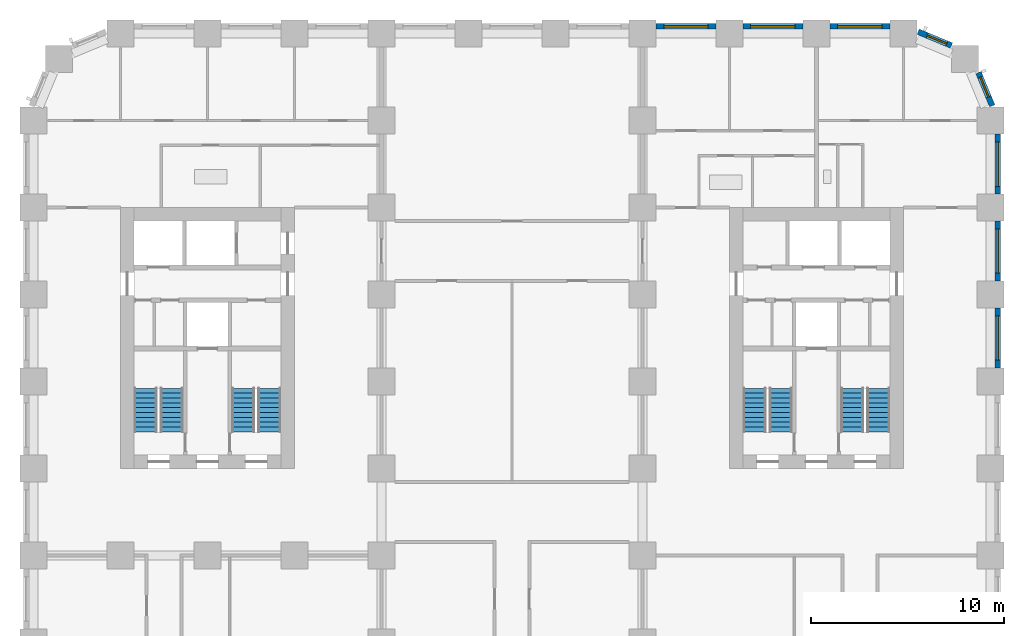
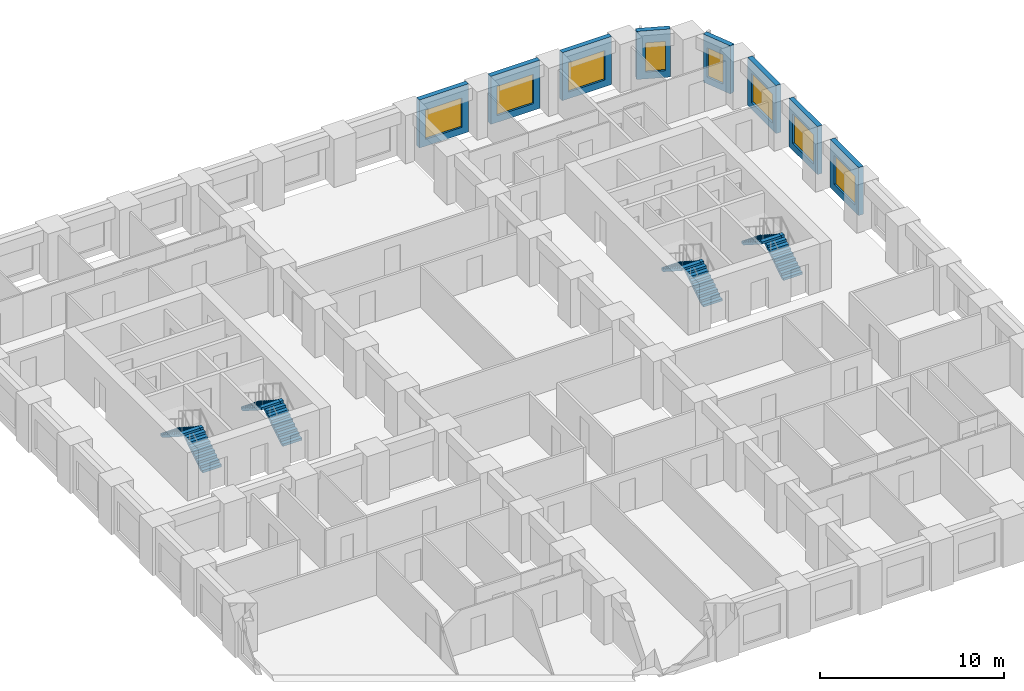
# One storey, part 9 of 12: 8 stair flights, 8 walls, 8 windows, 8 openings, 4 elements without a shape of their own.
"""IFC4 building model written with IfcOpenShell, lengths in metres."""

from ifc_helpers import new_model, si_unit, direction, frame, frame_2d, origin, place, context, subcontext, project, spatial, polyline, rectangle, outline, extrude, material, layer, layer_set, type_object, element, fill, aggregate, save


model = new_model("IFC4")

# Units and contexts
model_context = context("Model", 3, precision=1e-05, world=origin(), true_north=direction((0.0, 1.0)))
body_context = subcontext(model_context, "Body", "Model", "MODEL_VIEW")
ifc_project = project(units=[si_unit("LENGTHUNIT", "METRE"), si_unit("AREAUNIT", "SQUARE_METRE"), si_unit("VOLUMEUNIT", "CUBIC_METRE"), si_unit("PLANEANGLEUNIT", "RADIAN"), si_unit("MASSUNIT", "GRAM", prefix="KILO")], contexts=[model_context])

# Site, building, storey
site_placement = place(None, origin())
site = spatial("IfcSite", under=ifc_project, at=site_placement, CompositionType="ELEMENT")
building_placement = place(site_placement, origin())
building = spatial("IfcBuilding", under=site, at=building_placement, Name="Girih Gate Residences", CompositionType="ELEMENT")
storey_placement = place(building_placement, frame((0.0, 0.0, 30.39990234375)))
storey = spatial("IfcBuildingStorey", under=building, at=storey_placement, Name="L06", CompositionType="ELEMENT", Elevation=30.39990234375)

# Wall, opening, window
ifc_material_1 = material(Name="Precast concrete C50/60", Category="concrete")
ifc_layer_1 = layer(ifc_material_1, 0.080078125, Name="Outer leaf")
ifc_material_2 = material(Name="Rigid PIR insulation")
ifc_layer_2 = layer(ifc_material_2, 0.14990234375, Name="Insulation")
ifc_material_3 = material(Name="Precast concrete C40/50", Category="concrete")
ifc_layer_3 = layer(ifc_material_3, 0.070068359375, Name="Inner leaf")
ifc_layer_set = layer_set([ifc_layer_1, ifc_layer_2, ifc_layer_3], Name="Precast concrete C50/60 external wall 300")
wall_type = type_object("IfcWallType", Name="Precast concrete C50/60 external wall 300", PredefinedType="SOLIDWALL", material=ifc_layer_set)
wall_1_placement = place(storey_placement, frame((49.875, 35.300048828125, 0.0), z_axis=(0.0, 0.0, 1.0), x_axis=(0.0, -1.0, 0.0)))
wall_1 = element("IfcWall", 1, at=wall_1_placement, inside=storey, type_object=wall_type, Name="External wall E0495_0045.6", PredefinedType="SOLIDWALL", context=body_context, shape_type="SweptSolid", body=[
    extrude(rectangle(XDim=3.10009765625, YDim=0.300048828125, at=frame_2d((1.550048828125, 0.0))), origin(), (0.0, 0.0, 1.0), 3.2001953125),
])
opening_1_placement = place(wall_1_placement, frame((0.39990234375, 0.0, 0.449951171875)))
opening_1 = element("IfcOpeningElement", 2, at=opening_1_placement, cuts=wall_1, Name="Opening W-1", PredefinedType="OPENING", context=body_context, shape_type="SweptSolid", body=[
    extrude(rectangle(XDim=2.300048828125, YDim=1.949951171875, at=frame_2d((1.14990234375, 0.97509765625))), frame((0.0, 0.159912109375, 0.0), z_axis=(0.0, -1.0, 0.0), x_axis=(1.0, 0.0, 0.0)), (0.0, 0.0, 1.0), 0.320068359375),
])
ifc_material_4 = material(Name="Double glazing in aluminium frame", Category="aluminium")
window_type_1 = type_object("IfcWindowType", Name="Window W-1 2300x1950", PartitioningType="SINGLE_PANEL", PredefinedType="WINDOW", material=ifc_material_4)
window_1_placement = place(opening_1_placement, origin())
window_1 = element("IfcWindow", 3, at=window_1_placement, inside=storey, type_object=window_type_1, Name="Window W-1 E0495_0045.6", OverallHeight=1.949951171875, OverallWidth=2.300048828125, PartitioningType="SINGLE_PANEL", PredefinedType="WINDOW", context=body_context, shape_type="SweptSolid", body=[
    extrude(rectangle(XDim=2.300048828125, YDim=1.949951171875, at=frame_2d((1.14990234375, 0.97509765625))), frame((0.0, 0.030029296875, 0.0), z_axis=(0.0, -1.0, 0.0), x_axis=(1.0, 0.0, 0.0)), (0.0, 0.0, 1.0), 0.06005859375),
])
fill(opening_1, window_1)

wall_2_placement = place(storey_placement, frame((49.875, 39.800048828125, 0.0), z_axis=(0.0, 0.0, 1.0), x_axis=(0.0, -1.0, 0.0)))
wall_2 = element("IfcWall", 4, at=wall_2_placement, inside=storey, type_object=wall_type, Name="External wall E0495_0045.7", PredefinedType="SOLIDWALL", context=body_context, shape_type="SweptSolid", body=[
    extrude(rectangle(XDim=3.10009765625, YDim=0.300048828125, at=frame_2d((1.550048828125, 0.0))), origin(), (0.0, 0.0, 1.0), 3.2001953125),
])
opening_2_placement = place(wall_2_placement, frame((0.39990234375, 0.0, 0.449951171875)))
opening_2 = element("IfcOpeningElement", 5, at=opening_2_placement, cuts=wall_2, Name="Opening W-1", PredefinedType="OPENING", context=body_context, shape_type="SweptSolid", body=[
    extrude(rectangle(XDim=2.300048828125, YDim=1.949951171875, at=frame_2d((1.14990234375, 0.97509765625))), frame((0.0, 0.159912109375, 0.0), z_axis=(0.0, -1.0, 0.0), x_axis=(1.0, 0.0, 0.0)), (0.0, 0.0, 1.0), 0.320068359375),
])
window_2_placement = place(opening_2_placement, origin())
window_2 = element("IfcWindow", 6, at=window_2_placement, inside=storey, type_object=window_type_1, Name="Window W-1 E0495_0045.7", OverallHeight=1.949951171875, OverallWidth=2.300048828125, PartitioningType="SINGLE_PANEL", PredefinedType="WINDOW", context=body_context, shape_type="SweptSolid", body=[
    extrude(rectangle(XDim=2.300048828125, YDim=1.949951171875, at=frame_2d((1.14990234375, 0.97509765625))), frame((0.0, 0.030029296875, 0.0), z_axis=(0.0, -1.0, 0.0), x_axis=(1.0, 0.0, 0.0)), (0.0, 0.0, 1.0), 0.06005859375),
])
fill(opening_2, window_2)

wall_3_placement = place(storey_placement, frame((49.875, 44.300048828125, 0.0), z_axis=(0.0, 0.0, 1.0), x_axis=(0.0, -1.0, 0.0)))
wall_3 = element("IfcWall", 7, at=wall_3_placement, inside=storey, type_object=wall_type, Name="External wall E0495_0045.8", PredefinedType="SOLIDWALL", context=body_context, shape_type="SweptSolid", body=[
    extrude(rectangle(XDim=3.10009765625, YDim=0.300048828125, at=frame_2d((1.550048828125, 0.0))), origin(), (0.0, 0.0, 1.0), 3.2001953125),
])
opening_3_placement = place(wall_3_placement, frame((0.39990234375, 0.0, 0.449951171875)))
opening_3 = element("IfcOpeningElement", 8, at=opening_3_placement, cuts=wall_3, Name="Opening W-1", PredefinedType="OPENING", context=body_context, shape_type="SweptSolid", body=[
    extrude(rectangle(XDim=2.300048828125, YDim=1.949951171875, at=frame_2d((1.14990234375, 0.97509765625))), frame((0.0, 0.159912109375, 0.0), z_axis=(0.0, -1.0, 0.0), x_axis=(1.0, 0.0, 0.0)), (0.0, 0.0, 1.0), 0.320068359375),
])
window_3_placement = place(opening_3_placement, origin())
window_3 = element("IfcWindow", 9, at=window_3_placement, inside=storey, type_object=window_type_1, Name="Window W-1 E0495_0045.8", OverallHeight=1.949951171875, OverallWidth=2.300048828125, PartitioningType="SINGLE_PANEL", PredefinedType="WINDOW", context=body_context, shape_type="SweptSolid", body=[
    extrude(rectangle(XDim=2.300048828125, YDim=1.949951171875, at=frame_2d((1.14990234375, 0.97509765625))), frame((0.0, 0.030029296875, 0.0), z_axis=(0.0, -1.0, 0.0), x_axis=(1.0, 0.0, 0.0)), (0.0, 0.0, 1.0), 0.06005859375),
])
fill(opening_3, window_3)

wall_4_placement = place(storey_placement, frame((48.87841796875, 47.48046875, 0.0), z_axis=(0.0, 0.0, 1.0), x_axis=(0.38262540684, -0.923903565336, 0.0)))
wall_4 = element("IfcWall", 10, at=wall_4_placement, inside=storey, type_object=wall_type, Name="External wall NE0495_0450.0", PredefinedType="SOLIDWALL", context=body_context, shape_type="SweptSolid", body=[
    extrude(rectangle(XDim=1.864990234375, YDim=0.300048828125, at=frame_2d((0.9326171875, 0.0))), origin(), (0.0, 0.0, 1.0), 3.2001953125),
])
opening_4_placement = place(wall_4_placement, frame((0.257568359375, 0.0, 0.449951171875)))
opening_4 = element("IfcOpeningElement", 11, at=opening_4_placement, cuts=wall_4, Name="Opening W-2C", PredefinedType="OPENING", context=body_context, shape_type="SweptSolid", body=[
    extrude(rectangle(XDim=1.10009765625, YDim=1.949951171875, at=frame_2d((0.550048828125, 0.97509765625))), frame((0.0, 0.159912109375, 0.0), z_axis=(0.0, -1.0, 0.0), x_axis=(1.0, 0.0, 0.0)), (0.0, 0.0, 1.0), 0.320068359375),
])
window_type_2 = type_object("IfcWindowType", Name="Window W-2C 1100x1950", PartitioningType="SINGLE_PANEL", PredefinedType="WINDOW", material=ifc_material_4)
window_4_placement = place(opening_4_placement, origin())
window_4 = element("IfcWindow", 12, at=window_4_placement, inside=storey, type_object=window_type_2, Name="Window W-2C NE0495_0450.0", OverallHeight=1.949951171875, OverallWidth=1.10009765625, PartitioningType="SINGLE_PANEL", PredefinedType="WINDOW", context=body_context, shape_type="SweptSolid", body=[
    extrude(rectangle(XDim=1.10009765625, YDim=1.949951171875, at=frame_2d((0.550048828125, 0.97509765625))), frame((0.0, 0.030029296875, 0.0), z_axis=(0.0, -1.0, 0.0), x_axis=(1.0, 0.0, 0.0)), (0.0, 0.0, 1.0), 0.06005859375),
])
fill(opening_4, window_4)

wall_5_placement = place(storey_placement, frame((45.75732421875, 49.59228515625, 0.0), z_axis=(0.0, 0.0, 1.0), x_axis=(0.923857286003, -0.382737135771, 0.0)))
wall_5 = element("IfcWall", 13, at=wall_5_placement, inside=storey, type_object=wall_type, Name="External wall NE0482_0482.0", PredefinedType="SOLIDWALL", context=body_context, shape_type="SweptSolid", body=[
    extrude(rectangle(XDim=1.865234375, YDim=0.300048828125, at=frame_2d((0.9326171875, 0.0))), origin(), (0.0, 0.0, 1.0), 3.2001953125),
])
opening_5_placement = place(wall_5_placement, frame((0.507568359375, 0.0, 0.449951171875)))
opening_5 = element("IfcOpeningElement", 14, at=opening_5_placement, cuts=wall_5, Name="Opening W-2C", PredefinedType="OPENING", context=body_context, shape_type="SweptSolid", body=[
    extrude(rectangle(XDim=1.10009765625, YDim=1.949951171875, at=frame_2d((0.550048828125, 0.97509765625))), frame((0.0, 0.159912109375, 0.0), z_axis=(0.0, -1.0, 0.0), x_axis=(1.0, 0.0, 0.0)), (0.0, 0.0, 1.0), 0.320068359375),
])
window_5_placement = place(opening_5_placement, origin())
window_5 = element("IfcWindow", 15, at=window_5_placement, inside=storey, type_object=window_type_2, Name="Window W-2C NE0482_0482.0", OverallHeight=1.949951171875, OverallWidth=1.10009765625, PartitioningType="SINGLE_PANEL", PredefinedType="WINDOW", context=body_context, shape_type="SweptSolid", body=[
    extrude(rectangle(XDim=1.10009765625, YDim=1.949951171875, at=frame_2d((0.550048828125, 0.97509765625))), frame((0.0, 0.030029296875, 0.0), z_axis=(0.0, -1.0, 0.0), x_axis=(1.0, 0.0, 0.0)), (0.0, 0.0, 1.0), 0.06005859375),
])
fill(opening_5, window_5)

wall_6_placement = place(storey_placement, frame((41.199951171875, 49.875, 0.0), z_axis=(0.0, 0.0, 1.0), x_axis=(1.0, 0.0, 0.0)))
wall_6 = element("IfcWall", 16, at=wall_6_placement, inside=storey, type_object=wall_type, Name="External wall N0450_0495.0", PredefinedType="SOLIDWALL", context=body_context, shape_type="SweptSolid", body=[
    extrude(rectangle(XDim=3.10009765625, YDim=0.300048828125, at=frame_2d((1.550048828125, 0.0))), origin(), (0.0, 0.0, 1.0), 3.2001953125),
])
opening_6_placement = place(wall_6_placement, frame((0.39990234375, 0.0, 0.449951171875)))
opening_6 = element("IfcOpeningElement", 17, at=opening_6_placement, cuts=wall_6, Name="Opening W-1", PredefinedType="OPENING", context=body_context, shape_type="SweptSolid", body=[
    extrude(rectangle(XDim=2.300048828125, YDim=1.949951171875, at=frame_2d((1.14990234375, 0.97509765625))), frame((0.0, 0.159912109375, 0.0), z_axis=(0.0, -1.0, 0.0), x_axis=(1.0, 0.0, 0.0)), (0.0, 0.0, 1.0), 0.320068359375),
])
window_6_placement = place(opening_6_placement, origin())
window_6 = element("IfcWindow", 18, at=window_6_placement, inside=storey, type_object=window_type_1, Name="Window W-1 N0450_0495.0", OverallHeight=1.949951171875, OverallWidth=2.300048828125, PartitioningType="SINGLE_PANEL", PredefinedType="WINDOW", context=body_context, shape_type="SweptSolid", body=[
    extrude(rectangle(XDim=2.300048828125, YDim=1.949951171875, at=frame_2d((1.14990234375, 0.97509765625))), frame((0.0, 0.030029296875, 0.0), z_axis=(0.0, -1.0, 0.0), x_axis=(1.0, 0.0, 0.0)), (0.0, 0.0, 1.0), 0.06005859375),
])
fill(opening_6, window_6)

wall_7_placement = place(storey_placement, frame((36.699951171875, 49.875, 0.0), z_axis=(0.0, 0.0, 1.0), x_axis=(1.0, 0.0, 0.0)))
wall_7 = element("IfcWall", 19, at=wall_7_placement, inside=storey, type_object=wall_type, Name="External wall N0450_0495.1", PredefinedType="SOLIDWALL", context=body_context, shape_type="SweptSolid", body=[
    extrude(rectangle(XDim=3.10009765625, YDim=0.300048828125, at=frame_2d((1.550048828125, 0.0))), origin(), (0.0, 0.0, 1.0), 3.2001953125),
])
opening_7_placement = place(wall_7_placement, frame((0.39990234375, 0.0, 0.449951171875)))
opening_7 = element("IfcOpeningElement", 20, at=opening_7_placement, cuts=wall_7, Name="Opening W-1", PredefinedType="OPENING", context=body_context, shape_type="SweptSolid", body=[
    extrude(rectangle(XDim=2.300048828125, YDim=1.949951171875, at=frame_2d((1.14990234375, 0.97509765625))), frame((0.0, 0.159912109375, 0.0), z_axis=(0.0, -1.0, 0.0), x_axis=(1.0, 0.0, 0.0)), (0.0, 0.0, 1.0), 0.320068359375),
])
window_7_placement = place(opening_7_placement, origin())
window_7 = element("IfcWindow", 21, at=window_7_placement, inside=storey, type_object=window_type_1, Name="Window W-1 N0450_0495.1", OverallHeight=1.949951171875, OverallWidth=2.300048828125, PartitioningType="SINGLE_PANEL", PredefinedType="WINDOW", context=body_context, shape_type="SweptSolid", body=[
    extrude(rectangle(XDim=2.300048828125, YDim=1.949951171875, at=frame_2d((1.14990234375, 0.97509765625))), frame((0.0, 0.030029296875, 0.0), z_axis=(0.0, -1.0, 0.0), x_axis=(1.0, 0.0, 0.0)), (0.0, 0.0, 1.0), 0.06005859375),
])
fill(opening_7, window_7)

wall_8_placement = place(storey_placement, frame((32.199951171875, 49.875, 0.0), z_axis=(0.0, 0.0, 1.0), x_axis=(1.0, 0.0, 0.0)))
wall_8 = element("IfcWall", 22, at=wall_8_placement, inside=storey, type_object=wall_type, Name="External wall N0450_0495.2", PredefinedType="SOLIDWALL", context=body_context, shape_type="SweptSolid", body=[
    extrude(rectangle(XDim=3.10009765625, YDim=0.300048828125, at=frame_2d((1.550048828125, 0.0))), origin(), (0.0, 0.0, 1.0), 3.2001953125),
])
opening_8_placement = place(wall_8_placement, frame((0.39990234375, 0.0, 0.449951171875)))
opening_8 = element("IfcOpeningElement", 23, at=opening_8_placement, cuts=wall_8, Name="Opening W-1", PredefinedType="OPENING", context=body_context, shape_type="SweptSolid", body=[
    extrude(rectangle(XDim=2.300048828125, YDim=1.949951171875, at=frame_2d((1.14990234375, 0.97509765625))), frame((0.0, 0.159912109375, 0.0), z_axis=(0.0, -1.0, 0.0), x_axis=(1.0, 0.0, 0.0)), (0.0, 0.0, 1.0), 0.320068359375),
])
window_8_placement = place(opening_8_placement, origin())
window_8 = element("IfcWindow", 24, at=window_8_placement, inside=storey, type_object=window_type_1, Name="Window W-1 N0450_0495.2", OverallHeight=1.949951171875, OverallWidth=2.300048828125, PartitioningType="SINGLE_PANEL", PredefinedType="WINDOW", context=body_context, shape_type="SweptSolid", body=[
    extrude(rectangle(XDim=2.300048828125, YDim=1.949951171875, at=frame_2d((1.14990234375, 0.97509765625))), frame((0.0, 0.030029296875, 0.0), z_axis=(0.0, -1.0, 0.0), x_axis=(1.0, 0.0, 0.0)), (0.0, 0.0, 1.0), 0.06005859375),
])
fill(opening_8, window_8)

# Stair, stair flights
ifc_material_5 = material(Name="Concrete C40/50", Category="concrete")
stair_type = type_object("IfcStairType", Name="Exit stair", PredefinedType="HALF_TURN_STAIR", material=ifc_material_5)
stair_1_placement = place(storey_placement, origin())
stair_1 = element("IfcStair", 25, at=stair_1_placement, inside=storey, type_object=stair_type, Name="L06 Exit Stair ST-W1", PredefinedType="HALF_TURN_STAIR")
stair_flight_type = type_object("IfcStairFlightType", Name="Stair flight 1200", PredefinedType="STRAIGHT", material=ifc_material_5)
stair_flight_1_placement = place(storey_placement, frame((7.14990234375, 28.89990234375, 0.0), z_axis=(0.0, 0.0, 1.0), x_axis=(0.0, 1.0, 0.0)))
stair_flight_1 = element("IfcStairFlight", 26, at=stair_flight_1_placement, type_object=stair_flight_type, Name="ST-W1 flight 1", NumberOfRisers=10, NumberOfTreads=9, PredefinedType="STRAIGHT", RiserHeight=0.16, TreadLength=0.25, context=body_context, shape_type="SweptSolid", body=[
    extrude(outline(polyline([(0.0, 0.0), (0.0, 0.159912109375), (0.25, 0.159912109375), (0.25, 0.320068359375), (0.5, 0.320068359375), (0.5, 0.47998046875), (0.75, 0.47998046875), (0.75, 0.639892578125), (1.0, 0.639892578125), (1.0, 0.800048828125), (1.25, 0.800048828125), (1.25, 0.9599609375), (1.5, 0.9599609375), (1.5, 1.1201171875), (1.75, 1.1201171875), (1.75, 1.280029296875), (2.0, 1.280029296875), (2.0, 1.43994140625), (2.25, 1.43994140625), (2.25, 1.60009765625), (2.25, 1.29736328125), (0.222900390625, 0.0), (0.0, 0.0)])), frame((0.0, 0.60009765625, 0.0), z_axis=(0.0, -1.0, 0.0), x_axis=(1.0, 0.0, 0.0)), (0.0, 0.0, 1.0), 1.199951171875),
])
stair_flight_2_placement = place(storey_placement, frame((5.800048828125, 31.14990234375, 1.60009765625), z_axis=(0.0, 0.0, 1.0), x_axis=(0.0, -1.0, 0.0)))
stair_flight_2 = element("IfcStairFlight", 27, at=stair_flight_2_placement, type_object=stair_flight_type, Name="ST-W1 flight 2", NumberOfRisers=10, NumberOfTreads=9, PredefinedType="STRAIGHT", RiserHeight=0.16, TreadLength=0.25, context=body_context, shape_type="SweptSolid", body=[
    extrude(outline(polyline([(0.0, 0.0), (0.0, 0.159912109375), (0.25, 0.159912109375), (0.25, 0.320068359375), (0.5, 0.320068359375), (0.5, 0.47998046875), (0.75, 0.47998046875), (0.75, 0.639892578125), (1.0, 0.639892578125), (1.0, 0.800048828125), (1.25, 0.800048828125), (1.25, 0.9599609375), (1.5, 0.9599609375), (1.5, 1.1201171875), (1.75, 1.1201171875), (1.75, 1.280029296875), (2.0, 1.280029296875), (2.0, 1.43994140625), (2.25, 1.43994140625), (2.25, 1.60009765625), (2.25, 1.29736328125), (0.222900390625, 0.0), (0.0, 0.0)])), frame((0.0, 0.60009765625, 0.0), z_axis=(0.0, -1.0, 0.0), x_axis=(1.0, 0.0, 0.0)), (0.0, 0.0, 1.0), 1.199951171875),
])
aggregate(stair_1, [stair_flight_1, stair_flight_2])

stair_2_placement = place(storey_placement, origin())
stair_2 = element("IfcStair", 28, at=stair_2_placement, inside=storey, type_object=stair_type, Name="L06 Exit Stair ST-W2", PredefinedType="HALF_TURN_STAIR")
stair_flight_3_placement = place(storey_placement, frame((12.199951171875, 28.89990234375, 0.0), z_axis=(0.0, 0.0, 1.0), x_axis=(0.0, 1.0, 0.0)))
stair_flight_3 = element("IfcStairFlight", 29, at=stair_flight_3_placement, type_object=stair_flight_type, Name="ST-W2 flight 1", NumberOfRisers=10, NumberOfTreads=9, PredefinedType="STRAIGHT", RiserHeight=0.16, TreadLength=0.25, context=body_context, shape_type="SweptSolid", body=[
    extrude(outline(polyline([(0.0, 0.0), (0.0, 0.159912109375), (0.25, 0.159912109375), (0.25, 0.320068359375), (0.5, 0.320068359375), (0.5, 0.47998046875), (0.75, 0.47998046875), (0.75, 0.639892578125), (1.0, 0.639892578125), (1.0, 0.800048828125), (1.25, 0.800048828125), (1.25, 0.9599609375), (1.5, 0.9599609375), (1.5, 1.1201171875), (1.75, 1.1201171875), (1.75, 1.280029296875), (2.0, 1.280029296875), (2.0, 1.43994140625), (2.25, 1.43994140625), (2.25, 1.60009765625), (2.25, 1.29736328125), (0.222900390625, 0.0), (0.0, 0.0)])), frame((0.0, 0.60009765625, 0.0), z_axis=(0.0, -1.0, 0.0), x_axis=(1.0, 0.0, 0.0)), (0.0, 0.0, 1.0), 1.199951171875),
])
stair_flight_4_placement = place(storey_placement, frame((10.85009765625, 31.14990234375, 1.60009765625), z_axis=(0.0, 0.0, 1.0), x_axis=(0.0, -1.0, 0.0)))
stair_flight_4 = element("IfcStairFlight", 30, at=stair_flight_4_placement, type_object=stair_flight_type, Name="ST-W2 flight 2", NumberOfRisers=10, NumberOfTreads=9, PredefinedType="STRAIGHT", RiserHeight=0.16, TreadLength=0.25, context=body_context, shape_type="SweptSolid", body=[
    extrude(outline(polyline([(0.0, 0.0), (0.0, 0.159912109375), (0.25, 0.159912109375), (0.25, 0.320068359375), (0.5, 0.320068359375), (0.5, 0.47998046875), (0.75, 0.47998046875), (0.75, 0.639892578125), (1.0, 0.639892578125), (1.0, 0.800048828125), (1.25, 0.800048828125), (1.25, 0.9599609375), (1.5, 0.9599609375), (1.5, 1.1201171875), (1.75, 1.1201171875), (1.75, 1.280029296875), (2.0, 1.280029296875), (2.0, 1.43994140625), (2.25, 1.43994140625), (2.25, 1.60009765625), (2.25, 1.29736328125), (0.222900390625, 0.0), (0.0, 0.0)])), frame((0.0, 0.60009765625, 0.0), z_axis=(0.0, -1.0, 0.0), x_axis=(1.0, 0.0, 0.0)), (0.0, 0.0, 1.0), 1.199951171875),
])
aggregate(stair_2, [stair_flight_3, stair_flight_4])

stair_3_placement = place(storey_placement, origin())
stair_3 = element("IfcStair", 31, at=stair_3_placement, inside=storey, type_object=stair_type, Name="L06 Exit Stair ST-E1", PredefinedType="HALF_TURN_STAIR")
stair_flight_5_placement = place(storey_placement, frame((43.699951171875, 28.89990234375, 0.0), z_axis=(0.0, 0.0, 1.0), x_axis=(0.0, 1.0, 0.0)))
stair_flight_5 = element("IfcStairFlight", 32, at=stair_flight_5_placement, type_object=stair_flight_type, Name="ST-E1 flight 1", NumberOfRisers=10, NumberOfTreads=9, PredefinedType="STRAIGHT", RiserHeight=0.16, TreadLength=0.25, context=body_context, shape_type="SweptSolid", body=[
    extrude(outline(polyline([(0.0, 0.0), (0.0, 0.159912109375), (0.25, 0.159912109375), (0.25, 0.320068359375), (0.5, 0.320068359375), (0.5, 0.47998046875), (0.75, 0.47998046875), (0.75, 0.639892578125), (1.0, 0.639892578125), (1.0, 0.800048828125), (1.25, 0.800048828125), (1.25, 0.9599609375), (1.5, 0.9599609375), (1.5, 1.1201171875), (1.75, 1.1201171875), (1.75, 1.280029296875), (2.0, 1.280029296875), (2.0, 1.43994140625), (2.25, 1.43994140625), (2.25, 1.60009765625), (2.25, 1.29736328125), (0.222900390625, 0.0), (0.0, 0.0)])), frame((0.0, 0.60009765625, 0.0), z_axis=(0.0, -1.0, 0.0), x_axis=(1.0, 0.0, 0.0)), (0.0, 0.0, 1.0), 1.199951171875),
])
stair_flight_6_placement = place(storey_placement, frame((42.35009765625, 31.14990234375, 1.60009765625), z_axis=(0.0, 0.0, 1.0), x_axis=(0.0, -1.0, 0.0)))
stair_flight_6 = element("IfcStairFlight", 33, at=stair_flight_6_placement, type_object=stair_flight_type, Name="ST-E1 flight 2", NumberOfRisers=10, NumberOfTreads=9, PredefinedType="STRAIGHT", RiserHeight=0.16, TreadLength=0.25, context=body_context, shape_type="SweptSolid", body=[
    extrude(outline(polyline([(0.0, 0.0), (0.0, 0.159912109375), (0.25, 0.159912109375), (0.25, 0.320068359375), (0.5, 0.320068359375), (0.5, 0.47998046875), (0.75, 0.47998046875), (0.75, 0.639892578125), (1.0, 0.639892578125), (1.0, 0.800048828125), (1.25, 0.800048828125), (1.25, 0.9599609375), (1.5, 0.9599609375), (1.5, 1.1201171875), (1.75, 1.1201171875), (1.75, 1.280029296875), (2.0, 1.280029296875), (2.0, 1.43994140625), (2.25, 1.43994140625), (2.25, 1.60009765625), (2.25, 1.29736328125), (0.222900390625, 0.0), (0.0, 0.0)])), frame((0.0, 0.60009765625, 0.0), z_axis=(0.0, -1.0, 0.0), x_axis=(1.0, 0.0, 0.0)), (0.0, 0.0, 1.0), 1.199951171875),
])
aggregate(stair_3, [stair_flight_5, stair_flight_6])

stair_4_placement = place(storey_placement, origin())
stair_4 = element("IfcStair", 34, at=stair_4_placement, inside=storey, type_object=stair_type, Name="L06 Exit Stair ST-E2", PredefinedType="HALF_TURN_STAIR")
stair_flight_7_placement = place(storey_placement, frame((38.64990234375, 28.89990234375, 0.0), z_axis=(0.0, 0.0, 1.0), x_axis=(0.0, 1.0, 0.0)))
stair_flight_7 = element("IfcStairFlight", 35, at=stair_flight_7_placement, type_object=stair_flight_type, Name="ST-E2 flight 1", NumberOfRisers=10, NumberOfTreads=9, PredefinedType="STRAIGHT", RiserHeight=0.16, TreadLength=0.25, context=body_context, shape_type="SweptSolid", body=[
    extrude(outline(polyline([(0.0, 0.0), (0.0, 0.159912109375), (0.25, 0.159912109375), (0.25, 0.320068359375), (0.5, 0.320068359375), (0.5, 0.47998046875), (0.75, 0.47998046875), (0.75, 0.639892578125), (1.0, 0.639892578125), (1.0, 0.800048828125), (1.25, 0.800048828125), (1.25, 0.9599609375), (1.5, 0.9599609375), (1.5, 1.1201171875), (1.75, 1.1201171875), (1.75, 1.280029296875), (2.0, 1.280029296875), (2.0, 1.43994140625), (2.25, 1.43994140625), (2.25, 1.60009765625), (2.25, 1.29736328125), (0.222900390625, 0.0), (0.0, 0.0)])), frame((0.0, 0.60009765625, 0.0), z_axis=(0.0, -1.0, 0.0), x_axis=(1.0, 0.0, 0.0)), (0.0, 0.0, 1.0), 1.199951171875),
])
stair_flight_8_placement = place(storey_placement, frame((37.300048828125, 31.14990234375, 1.60009765625), z_axis=(0.0, 0.0, 1.0), x_axis=(0.0, -1.0, 0.0)))
stair_flight_8 = element("IfcStairFlight", 36, at=stair_flight_8_placement, type_object=stair_flight_type, Name="ST-E2 flight 2", NumberOfRisers=10, NumberOfTreads=9, PredefinedType="STRAIGHT", RiserHeight=0.16, TreadLength=0.25, context=body_context, shape_type="SweptSolid", body=[
    extrude(outline(polyline([(0.0, 0.0), (0.0, 0.159912109375), (0.25, 0.159912109375), (0.25, 0.320068359375), (0.5, 0.320068359375), (0.5, 0.47998046875), (0.75, 0.47998046875), (0.75, 0.639892578125), (1.0, 0.639892578125), (1.0, 0.800048828125), (1.25, 0.800048828125), (1.25, 0.9599609375), (1.5, 0.9599609375), (1.5, 1.1201171875), (1.75, 1.1201171875), (1.75, 1.280029296875), (2.0, 1.280029296875), (2.0, 1.43994140625), (2.25, 1.43994140625), (2.25, 1.60009765625), (2.25, 1.29736328125), (0.222900390625, 0.0), (0.0, 0.0)])), frame((0.0, 0.60009765625, 0.0), z_axis=(0.0, -1.0, 0.0), x_axis=(1.0, 0.0, 0.0)), (0.0, 0.0, 1.0), 1.199951171875),
])
aggregate(stair_4, [stair_flight_7, stair_flight_8])

save(model, "model.ifc")
